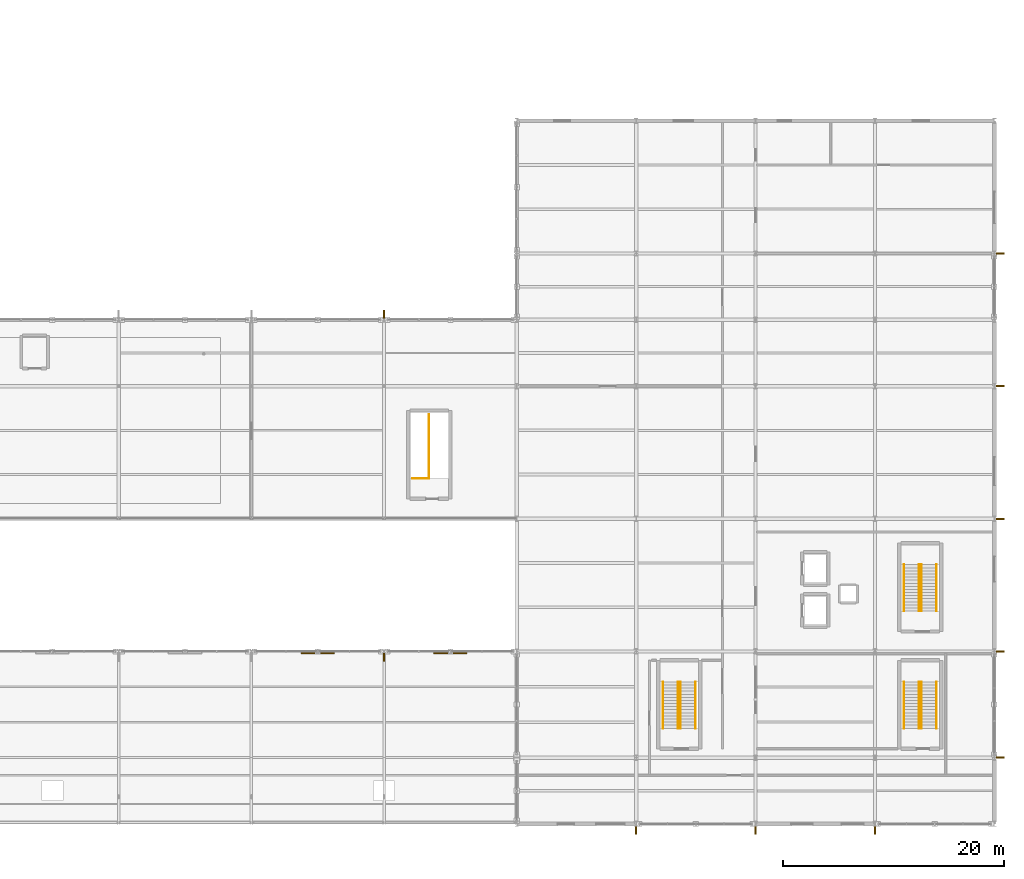
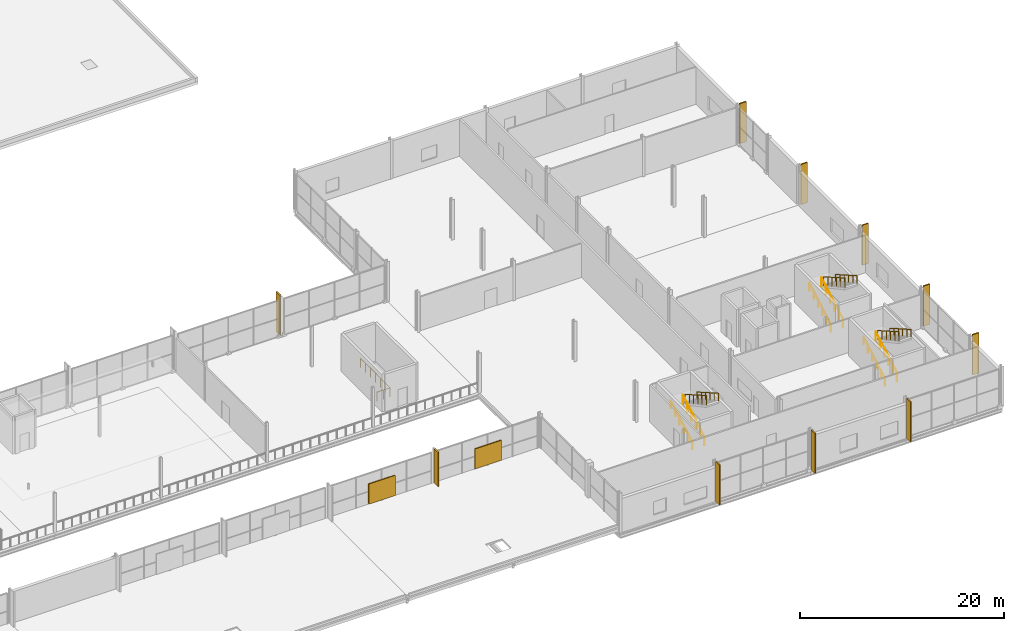
# One storey, part 158 of 159: 13 railings, 10 coverings, 2 shading devices.
"""IFC4 building model written with IfcOpenShell, lengths in metres."""

from ifc_helpers import new_model, si_unit, direction, frame, origin, origin_2d, place, context, subcontext, project, spatial, polyline, rectangle, circle, outline, extrude, material, layer, layer_set, type_object, element, save


model = new_model("IFC4")

# Units and contexts
model_context = context("Model", 3, precision=1e-05, world=origin(), true_north=direction((0.0, 1.0)))
body_context = subcontext(model_context, "Body", "Model", "MODEL_VIEW")
ifc_project = project(units=[si_unit("LENGTHUNIT", "METRE"), si_unit("AREAUNIT", "SQUARE_METRE"), si_unit("VOLUMEUNIT", "CUBIC_METRE"), si_unit("PLANEANGLEUNIT", "RADIAN"), si_unit("MASSUNIT", "GRAM", prefix="KILO")], contexts=[model_context])

# Site, building, storey
site_placement = place(None, origin())
site = spatial("IfcSite", under=ifc_project, at=site_placement, CompositionType="ELEMENT")
building_placement = place(site_placement, origin())
building = spatial("IfcBuilding", under=site, at=building_placement, Name="Merenkruunu Market Hall", CompositionType="ELEMENT")
storey_placement = place(building_placement, frame((0.0, 0.0, 5.39990234375)))
storey = spatial("IfcBuildingStorey", under=building, at=storey_placement, Name="L01", CompositionType="ELEMENT", Elevation=5.39990234375)

# Coverings
ifc_material_1 = material(Name="Precast concrete C40/50", Category="concrete")
ifc_layer_1 = layer(ifc_material_1, 0.139892578125)
ifc_layer_set_1 = layer_set([ifc_layer_1], Name="Precast concrete C40/50")
covering_type = type_object("IfcCoveringType", Name="Architectural Precast Sun Fin CLD02", PredefinedType="CLADDING", material=ifc_layer_set_1)
covering_1_placement = place(storey_placement, frame((0.0, 0.0, 0.68017578125)))
element("IfcCovering", 1, at=covering_1_placement, inside=storey, type_object=covering_type, Name="FIN-S-L01-065", PredefinedType="CLADDING", context=body_context, shape_type="SweptSolid", body=[
    extrude(outline(polyline([(136.72998046875, 14.72998046875), (136.8701171875, 14.72998046875), (136.8701171875, 15.451904296875), (136.72998046875, 15.451904296875), (136.72998046875, 14.72998046875)])), origin(), (0.0, 0.0, 1.0), 4.119873046875),
])
covering_2_placement = place(storey_placement, origin())
element("IfcCovering", 2, at=covering_2_placement, inside=storey, type_object=covering_type, Name="FIN-N-L01-067", PredefinedType="CLADDING", context=body_context, shape_type="SweptSolid", body=[
    extrude(outline(polyline([(136.72998046875, 45.718017578125), (136.8701171875, 45.718017578125), (136.8701171875, 46.43994140625), (136.72998046875, 46.43994140625), (136.72998046875, 45.718017578125)])), origin(), (0.0, 0.0, 1.0), 4.800048828125),
])
covering_3_placement = place(storey_placement, origin())
element("IfcCovering", 3, at=covering_3_placement, inside=storey, type_object=covering_type, Name="FIN-S-L01-069", PredefinedType="CLADDING", context=body_context, shape_type="SweptSolid", body=[
    extrude(outline(polyline([(159.530029296875, -0.93994140625), (159.669921875, -0.93994140625), (159.669921875, -0.218017578125), (159.530029296875, -0.218017578125), (159.530029296875, -0.93994140625)])), origin(), (0.0, 0.0, 1.0), 4.800048828125),
])
covering_4_placement = place(storey_placement, origin())
element("IfcCovering", 4, at=covering_4_placement, inside=storey, type_object=covering_type, Name="FIN-S-L01-074", PredefinedType="CLADDING", context=body_context, shape_type="SweptSolid", body=[
    extrude(outline(polyline([(170.330078125, -0.93994140625), (170.469970703125, -0.93994140625), (170.469970703125, -0.218017578125), (170.330078125, -0.218017578125), (170.330078125, -0.93994140625)])), origin(), (0.0, 0.0, 1.0), 4.800048828125),
])
covering_5_placement = place(storey_placement, origin())
element("IfcCovering", 5, at=covering_5_placement, inside=storey, type_object=covering_type, Name="FIN-S-L01-079", PredefinedType="CLADDING", context=body_context, shape_type="SweptSolid", body=[
    extrude(outline(polyline([(181.1298828125, -0.93994140625), (181.27001953125, -0.93994140625), (181.27001953125, -0.218017578125), (181.1298828125, -0.218017578125), (181.1298828125, -0.93994140625)])), origin(), (0.0, 0.0, 1.0), 4.800048828125),
])
covering_6_placement = place(storey_placement, origin())
element("IfcCovering", 6, at=covering_6_placement, inside=storey, type_object=covering_type, Name="FIN-E-L01-084", PredefinedType="CLADDING", context=body_context, shape_type="SweptSolid", body=[
    extrude(outline(polyline([(192.14794921875, 5.929931640625), (192.8701171875, 5.929931640625), (192.8701171875, 6.070068359375), (192.14794921875, 6.070068359375), (192.14794921875, 5.929931640625)])), origin(), (0.0, 0.0, 1.0), 4.800048828125),
])
covering_7_placement = place(storey_placement, origin())
element("IfcCovering", 7, at=covering_7_placement, inside=storey, type_object=covering_type, Name="FIN-E-L01-089", PredefinedType="CLADDING", context=body_context, shape_type="SweptSolid", body=[
    extrude(outline(polyline([(192.14794921875, 15.530029296875), (192.8701171875, 15.530029296875), (192.8701171875, 15.669921875), (192.14794921875, 15.669921875), (192.14794921875, 15.530029296875)])), origin(), (0.0, 0.0, 1.0), 4.800048828125),
])
covering_8_placement = place(storey_placement, origin())
element("IfcCovering", 8, at=covering_8_placement, inside=storey, type_object=covering_type, Name="FIN-E-L01-094", PredefinedType="CLADDING", context=body_context, shape_type="SweptSolid", body=[
    extrude(outline(polyline([(192.14794921875, 27.530029296875), (192.8701171875, 27.530029296875), (192.8701171875, 27.669921875), (192.14794921875, 27.669921875), (192.14794921875, 27.530029296875)])), origin(), (0.0, 0.0, 1.0), 4.800048828125),
])
covering_9_placement = place(storey_placement, origin())
element("IfcCovering", 9, at=covering_9_placement, inside=storey, type_object=covering_type, Name="FIN-E-L01-099", PredefinedType="CLADDING", context=body_context, shape_type="SweptSolid", body=[
    extrude(outline(polyline([(192.14794921875, 39.530029296875), (192.8701171875, 39.530029296875), (192.8701171875, 39.669921875), (192.14794921875, 39.669921875), (192.14794921875, 39.530029296875)])), origin(), (0.0, 0.0, 1.0), 4.800048828125),
])
covering_10_placement = place(storey_placement, origin())
element("IfcCovering", 10, at=covering_10_placement, inside=storey, type_object=covering_type, Name="FIN-E-L01-103", PredefinedType="CLADDING", context=body_context, shape_type="SweptSolid", body=[
    extrude(outline(polyline([(192.14794921875, 51.530029296875), (192.8701171875, 51.530029296875), (192.8701171875, 51.669921875), (192.14794921875, 51.669921875), (192.14794921875, 51.530029296875)])), origin(), (0.0, 0.0, 1.0), 4.800048828125),
])

# Railings
ifc_material_2 = material(Name="Brushed stainless steel", Category="steel")
railing_type_1 = type_object("IfcRailingType", Name="Gallery Balustrade Guard GR01", PredefinedType="BALUSTRADE", material=ifc_material_2)
railing_1_placement = place(storey_placement, frame((185.18994140625, 8.64990234375, 0.0)))
element("IfcRailing", 11, at=railing_1_placement, inside=storey, type_object=railing_type_1, Name="RAIL-L01-0041", PredefinedType="BALUSTRADE", context=body_context, shape_type="SweptSolid", body=[
    extrude(circle(Radius=0.02392578125, at=origin_2d()), frame((0.0, 0.0, 1.076171875), z_axis=(0.0, 0.868240036425, 0.496144373291), x_axis=(-1.0, 0.0, 0.0)), (0.0, 0.0, 1.0), 4.837646484375),
    extrude(circle(Radius=0.02099609375, at=origin_2d()), origin(), (0.0, 0.0, 1.0), 1.052001953125),
    extrude(circle(Radius=0.02099609375, at=origin_2d()), frame((0.0, 0.840087890625, 0.47998046875)), (0.0, 0.0, 1.0), 1.052001953125),
    extrude(circle(Radius=0.02099609375, at=origin_2d()), frame((0.0, 1.68017578125, 0.9599609375)), (0.0, 0.0, 1.0), 1.052001953125),
    extrude(circle(Radius=0.02099609375, at=origin_2d()), frame((0.0, 2.52001953125, 1.440185546875)), (0.0, 0.0, 1.0), 1.052001953125),
    extrude(circle(Radius=0.02099609375, at=origin_2d()), frame((0.0, 3.360107421875, 1.920166015625)), (0.0, 0.0, 1.0), 1.052001953125),
    extrude(circle(Radius=0.02099609375, at=origin_2d()), frame((0.0, 4.2001953125, 2.400146484375)), (0.0, 0.0, 1.0), 1.052001953125),
])
railing_2_placement = place(storey_placement, frame((185.409912109375, 12.85009765625, 2.400146484375)))
element("IfcRailing", 12, at=railing_2_placement, inside=storey, type_object=railing_type_1, Name="RAIL-L01-0042", PredefinedType="BALUSTRADE", context=body_context, shape_type="SweptSolid", body=[
    extrude(circle(Radius=0.02392578125, at=origin_2d()), frame((0.0, 0.0, 1.076171875), z_axis=(0.0, -0.868261776072, 0.496106327528), x_axis=(1.0, 0.0, 0.0)), (0.0, 0.0, 1.0), 4.83740234375),
    extrude(circle(Radius=0.02099609375, at=origin_2d()), origin(), (0.0, 0.0, 1.0), 1.052001953125),
    extrude(circle(Radius=0.02099609375, at=origin_2d()), frame((0.0, -0.840087890625, 0.47998046875)), (0.0, 0.0, 1.0), 1.052001953125),
    extrude(circle(Radius=0.02099609375, at=origin_2d()), frame((0.0, -1.68017578125, 0.9599609375)), (0.0, 0.0, 1.0), 1.052001953125),
    extrude(circle(Radius=0.02099609375, at=origin_2d()), frame((0.0, -2.52001953125, 1.43994140625)), (0.0, 0.0, 1.0), 1.052001953125),
    extrude(circle(Radius=0.02099609375, at=origin_2d()), frame((0.0, -3.360107421875, 1.919921875)), (0.0, 0.0, 1.0), 1.052001953125),
    extrude(circle(Radius=0.02099609375, at=origin_2d()), frame((0.0, -4.2001953125, 2.39990234375)), (0.0, 0.0, 1.0), 1.052001953125),
])
railing_3_placement = place(storey_placement, frame((185.18994140625, 19.25, 0.0)))
element("IfcRailing", 13, at=railing_3_placement, inside=storey, type_object=railing_type_1, Name="RAIL-L01-0058", PredefinedType="BALUSTRADE", context=body_context, shape_type="SweptSolid", body=[
    extrude(circle(Radius=0.02392578125, at=origin_2d()), frame((0.0, 0.0, 1.076171875), z_axis=(0.0, 0.868227612608, 0.496166114024), x_axis=(-1.0, 0.0, 0.0)), (0.0, 0.0, 1.0), 4.83740234375),
    extrude(circle(Radius=0.02099609375, at=origin_2d()), origin(), (0.0, 0.0, 1.0), 1.052001953125),
    extrude(circle(Radius=0.02099609375, at=origin_2d()), frame((0.0, 0.840087890625, 0.47998046875)), (0.0, 0.0, 1.0), 1.052001953125),
    extrude(circle(Radius=0.02099609375, at=origin_2d()), frame((0.0, 1.679931640625, 0.9599609375)), (0.0, 0.0, 1.0), 1.052001953125),
    extrude(circle(Radius=0.02099609375, at=origin_2d()), frame((0.0, 2.52001953125, 1.440185546875)), (0.0, 0.0, 1.0), 1.052001953125),
    extrude(circle(Radius=0.02099609375, at=origin_2d()), frame((0.0, 3.35986328125, 1.920166015625)), (0.0, 0.0, 1.0), 1.052001953125),
    extrude(circle(Radius=0.02099609375, at=origin_2d()), frame((0.0, 4.199951171875, 2.400146484375)), (0.0, 0.0, 1.0), 1.052001953125),
])
railing_4_placement = place(storey_placement, frame((185.409912109375, 23.449951171875, 2.400146484375)))
element("IfcRailing", 14, at=railing_4_placement, inside=storey, type_object=railing_type_1, Name="RAIL-L01-0059", PredefinedType="BALUSTRADE", context=body_context, shape_type="SweptSolid", body=[
    extrude(circle(Radius=0.02392578125, at=origin_2d()), frame((0.0, 0.0, 1.076171875), z_axis=(0.0, -0.868249353848, 0.496128067682), x_axis=(1.0, 0.0, 0.0)), (0.0, 0.0, 1.0), 4.837158203125),
    extrude(circle(Radius=0.02099609375, at=origin_2d()), origin(), (0.0, 0.0, 1.0), 1.052001953125),
    extrude(circle(Radius=0.02099609375, at=origin_2d()), frame((0.0, -0.840087890625, 0.47998046875)), (0.0, 0.0, 1.0), 1.052001953125),
    extrude(circle(Radius=0.02099609375, at=origin_2d()), frame((0.0, -1.679931640625, 0.9599609375)), (0.0, 0.0, 1.0), 1.052001953125),
    extrude(circle(Radius=0.02099609375, at=origin_2d()), frame((0.0, -2.52001953125, 1.43994140625)), (0.0, 0.0, 1.0), 1.052001953125),
    extrude(circle(Radius=0.02099609375, at=origin_2d()), frame((0.0, -3.35986328125, 1.919921875)), (0.0, 0.0, 1.0), 1.052001953125),
    extrude(circle(Radius=0.02099609375, at=origin_2d()), frame((0.0, -4.199951171875, 2.39990234375)), (0.0, 0.0, 1.0), 1.052001953125),
])
railing_5_placement = place(storey_placement, frame((139.360107421875, 31.239990234375, 0.0)))
element("IfcRailing", 15, at=railing_5_placement, inside=storey, type_object=railing_type_1, Name="RAIL-L01-0080", PredefinedType="BALUSTRADE", context=body_context, shape_type="SweptSolid", body=[
    extrude(circle(Radius=0.02392578125, at=origin_2d()), frame((0.0, 0.0, 1.076171875), z_axis=(1.0, 0.0, 0.0), x_axis=(0.0, 1.0, 0.0)), (0.0, 0.0, 1.0), 1.5),
    extrude(circle(Radius=0.02392578125, at=origin_2d()), frame((1.5, 0.0, 1.076171875), z_axis=(0.0, 1.0, 0.0), x_axis=(-1.0, 0.0, 0.0)), (0.0, 0.0, 1.0), 5.800048828125),
    extrude(circle(Radius=0.02099609375, at=origin_2d()), origin(), (0.0, 0.0, 1.0), 1.052001953125),
    extrude(circle(Radius=0.02099609375, at=origin_2d()), frame((0.75, 0.0, 0.0)), (0.0, 0.0, 1.0), 1.052001953125),
    extrude(circle(Radius=0.02099609375, at=origin_2d()), frame((1.5, 0.0, 0.0)), (0.0, 0.0, 1.0), 1.052001953125),
    extrude(circle(Radius=0.02099609375, at=origin_2d()), frame((1.5, 0.966796875, 0.0)), (0.0, 0.0, 1.0), 1.052001953125),
    extrude(circle(Radius=0.02099609375, at=origin_2d()), frame((1.5, 1.933349609375, 0.0)), (0.0, 0.0, 1.0), 1.052001953125),
    extrude(circle(Radius=0.02099609375, at=origin_2d()), frame((1.5, 2.89990234375, 0.0)), (0.0, 0.0, 1.0), 1.052001953125),
    extrude(circle(Radius=0.02099609375, at=origin_2d()), frame((1.5, 3.86669921875, 0.0)), (0.0, 0.0, 1.0), 1.052001953125),
    extrude(circle(Radius=0.02099609375, at=origin_2d()), frame((1.5, 4.83349609375, 0.0)), (0.0, 0.0, 1.0), 1.052001953125),
    extrude(circle(Radius=0.02099609375, at=origin_2d()), frame((1.5, 5.800048828125, 0.0)), (0.0, 0.0, 1.0), 1.052001953125),
])
railing_6_placement = place(storey_placement, frame((163.389892578125, 8.64990234375, 0.0)))
element("IfcRailing", 16, at=railing_6_placement, inside=storey, type_object=railing_type_1, Name="RAIL-L01-0085", PredefinedType="BALUSTRADE", context=body_context, shape_type="SweptSolid", body=[
    extrude(circle(Radius=0.02392578125, at=origin_2d()), frame((0.0, 0.0, 1.076171875), z_axis=(0.0, 0.868240036425, 0.496144373291), x_axis=(-1.0, 0.0, 0.0)), (0.0, 0.0, 1.0), 4.837646484375),
    extrude(circle(Radius=0.02099609375, at=origin_2d()), origin(), (0.0, 0.0, 1.0), 1.052001953125),
    extrude(circle(Radius=0.02099609375, at=origin_2d()), frame((0.0, 0.840087890625, 0.47998046875)), (0.0, 0.0, 1.0), 1.052001953125),
    extrude(circle(Radius=0.02099609375, at=origin_2d()), frame((0.0, 1.68017578125, 0.9599609375)), (0.0, 0.0, 1.0), 1.052001953125),
    extrude(circle(Radius=0.02099609375, at=origin_2d()), frame((0.0, 2.52001953125, 1.440185546875)), (0.0, 0.0, 1.0), 1.052001953125),
    extrude(circle(Radius=0.02099609375, at=origin_2d()), frame((0.0, 3.360107421875, 1.920166015625)), (0.0, 0.0, 1.0), 1.052001953125),
    extrude(circle(Radius=0.02099609375, at=origin_2d()), frame((0.0, 4.2001953125, 2.400146484375)), (0.0, 0.0, 1.0), 1.052001953125),
])
railing_7_placement = place(storey_placement, frame((163.610107421875, 12.85009765625, 2.400146484375)))
element("IfcRailing", 17, at=railing_7_placement, inside=storey, type_object=railing_type_1, Name="RAIL-L01-0086", PredefinedType="BALUSTRADE", context=body_context, shape_type="SweptSolid", body=[
    extrude(circle(Radius=0.02392578125, at=origin_2d()), frame((0.0, 0.0, 1.076171875), z_axis=(0.0, -0.868261776072, 0.496106327528), x_axis=(1.0, 0.0, 0.0)), (0.0, 0.0, 1.0), 4.83740234375),
    extrude(circle(Radius=0.02099609375, at=origin_2d()), origin(), (0.0, 0.0, 1.0), 1.052001953125),
    extrude(circle(Radius=0.02099609375, at=origin_2d()), frame((0.0, -0.840087890625, 0.47998046875)), (0.0, 0.0, 1.0), 1.052001953125),
    extrude(circle(Radius=0.02099609375, at=origin_2d()), frame((0.0, -1.68017578125, 0.9599609375)), (0.0, 0.0, 1.0), 1.052001953125),
    extrude(circle(Radius=0.02099609375, at=origin_2d()), frame((0.0, -2.52001953125, 1.43994140625)), (0.0, 0.0, 1.0), 1.052001953125),
    extrude(circle(Radius=0.02099609375, at=origin_2d()), frame((0.0, -3.360107421875, 1.919921875)), (0.0, 0.0, 1.0), 1.052001953125),
    extrude(circle(Radius=0.02099609375, at=origin_2d()), frame((0.0, -4.2001953125, 2.39990234375)), (0.0, 0.0, 1.0), 1.052001953125),
])

# Shading devices
ifc_layer_2 = layer(ifc_material_1, 0.1201171875)
ifc_layer_set_2 = layer_set([ifc_layer_2], Name="Precast concrete C40/50")
shading_device_type = type_object("IfcShadingDeviceType", Name="Perforated Precast Brise Soleil Screen BRS01", PredefinedType="USERDEFINED", material=ifc_layer_set_2)
for number, where, z_axis, x_axis, name in (
    (18, (130.800048828125, 15.4599609375, 0.800048828125), (0.0, 0.0, 1.0), (1.0, 0.0, 0.0), "SHD-BRS-04"),
    (19, (142.800048828125, 15.4599609375, 0.800048828125), (0.0, 0.0, 1.0), (1.0, 0.0, 0.0), "SHD-BRS-05"),
):
    element("IfcShadingDevice", number, at=place(storey_placement, frame(where, z_axis=z_axis, x_axis=x_axis)), inside=storey, type_object=shading_device_type, Name=name, ObjectType="BRISE_SOLEIL", PredefinedType="USERDEFINED", context=body_context, shape_type="SweptSolid", body=[
        extrude(rectangle(XDim=3.0, YDim=0.1201171875, at=origin_2d()), origin(), (0.0, 0.0, 1.0), 2.39990234375),
    ])

# Railings
railing_type_2 = type_object("IfcRailingType", Name="Stair Pitch Handrail HR01", PredefinedType="HANDRAIL", material=ifc_material_2)
railing_8_placement = place(storey_placement, frame((183.830078125, 8.64990234375, 0.0)))
element("IfcRailing", 20, at=railing_8_placement, inside=storey, type_object=railing_type_2, Name="RAIL-L01-0043", PredefinedType="HANDRAIL", context=body_context, shape_type="SweptSolid", body=[
    extrude(circle(Radius=0.02392578125, at=origin_2d()), frame((0.0, 0.0, 0.8759765625), z_axis=(0.0, 0.868240036425, 0.496144373291), x_axis=(-1.0, 0.0, 0.0)), (0.0, 0.0, 1.0), 4.837646484375),
    extrude(circle(Radius=0.02099609375, at=origin_2d()), origin(), (0.0, 0.0, 1.0), 0.851806640625),
    extrude(circle(Radius=0.02099609375, at=origin_2d()), frame((0.0, 0.840087890625, 0.47998046875)), (0.0, 0.0, 1.0), 0.851806640625),
    extrude(circle(Radius=0.02099609375, at=origin_2d()), frame((0.0, 1.68017578125, 0.9599609375)), (0.0, 0.0, 1.0), 0.851806640625),
    extrude(circle(Radius=0.02099609375, at=origin_2d()), frame((0.0, 2.52001953125, 1.440185546875)), (0.0, 0.0, 1.0), 0.851806640625),
    extrude(circle(Radius=0.02099609375, at=origin_2d()), frame((0.0, 3.360107421875, 1.920166015625)), (0.0, 0.0, 1.0), 0.851806640625),
    extrude(circle(Radius=0.02099609375, at=origin_2d()), frame((0.0, 4.2001953125, 2.400146484375)), (0.0, 0.0, 1.0), 0.851806640625),
])
railing_9_placement = place(storey_placement, frame((186.77001953125, 12.85009765625, 2.400146484375)))
element("IfcRailing", 21, at=railing_9_placement, inside=storey, type_object=railing_type_2, Name="RAIL-L01-0044", PredefinedType="HANDRAIL", context=body_context, shape_type="SweptSolid", body=[
    extrude(circle(Radius=0.02392578125, at=origin_2d()), frame((0.0, 0.0, 0.8759765625), z_axis=(0.0, -0.868261776072, 0.496106327528), x_axis=(1.0, 0.0, 0.0)), (0.0, 0.0, 1.0), 4.83740234375),
    extrude(circle(Radius=0.02099609375, at=origin_2d()), origin(), (0.0, 0.0, 1.0), 0.851806640625),
    extrude(circle(Radius=0.02099609375, at=origin_2d()), frame((0.0, -0.840087890625, 0.47998046875)), (0.0, 0.0, 1.0), 0.851806640625),
    extrude(circle(Radius=0.02099609375, at=origin_2d()), frame((0.0, -1.68017578125, 0.9599609375)), (0.0, 0.0, 1.0), 0.851806640625),
    extrude(circle(Radius=0.02099609375, at=origin_2d()), frame((0.0, -2.52001953125, 1.43994140625)), (0.0, 0.0, 1.0), 0.851806640625),
    extrude(circle(Radius=0.02099609375, at=origin_2d()), frame((0.0, -3.360107421875, 1.919921875)), (0.0, 0.0, 1.0), 0.851806640625),
    extrude(circle(Radius=0.02099609375, at=origin_2d()), frame((0.0, -4.2001953125, 2.39990234375)), (0.0, 0.0, 1.0), 0.851806640625),
])
railing_10_placement = place(storey_placement, frame((183.830078125, 19.25, 0.0)))
element("IfcRailing", 22, at=railing_10_placement, inside=storey, type_object=railing_type_2, Name="RAIL-L01-0060", PredefinedType="HANDRAIL", context=body_context, shape_type="SweptSolid", body=[
    extrude(circle(Radius=0.02392578125, at=origin_2d()), frame((0.0, 0.0, 0.8759765625), z_axis=(0.0, 0.868227612608, 0.496166114024), x_axis=(-1.0, 0.0, 0.0)), (0.0, 0.0, 1.0), 4.83740234375),
    extrude(circle(Radius=0.02099609375, at=origin_2d()), origin(), (0.0, 0.0, 1.0), 0.851806640625),
    extrude(circle(Radius=0.02099609375, at=origin_2d()), frame((0.0, 0.840087890625, 0.47998046875)), (0.0, 0.0, 1.0), 0.851806640625),
    extrude(circle(Radius=0.02099609375, at=origin_2d()), frame((0.0, 1.679931640625, 0.9599609375)), (0.0, 0.0, 1.0), 0.851806640625),
    extrude(circle(Radius=0.02099609375, at=origin_2d()), frame((0.0, 2.52001953125, 1.440185546875)), (0.0, 0.0, 1.0), 0.851806640625),
    extrude(circle(Radius=0.02099609375, at=origin_2d()), frame((0.0, 3.35986328125, 1.920166015625)), (0.0, 0.0, 1.0), 0.851806640625),
    extrude(circle(Radius=0.02099609375, at=origin_2d()), frame((0.0, 4.199951171875, 2.400146484375)), (0.0, 0.0, 1.0), 0.851806640625),
])
railing_11_placement = place(storey_placement, frame((186.77001953125, 23.449951171875, 2.400146484375)))
element("IfcRailing", 23, at=railing_11_placement, inside=storey, type_object=railing_type_2, Name="RAIL-L01-0061", PredefinedType="HANDRAIL", context=body_context, shape_type="SweptSolid", body=[
    extrude(circle(Radius=0.02392578125, at=origin_2d()), frame((0.0, 0.0, 0.8759765625), z_axis=(0.0, -0.868249353848, 0.496128067682), x_axis=(1.0, 0.0, 0.0)), (0.0, 0.0, 1.0), 4.837158203125),
    extrude(circle(Radius=0.02099609375, at=origin_2d()), origin(), (0.0, 0.0, 1.0), 0.851806640625),
    extrude(circle(Radius=0.02099609375, at=origin_2d()), frame((0.0, -0.840087890625, 0.47998046875)), (0.0, 0.0, 1.0), 0.851806640625),
    extrude(circle(Radius=0.02099609375, at=origin_2d()), frame((0.0, -1.679931640625, 0.9599609375)), (0.0, 0.0, 1.0), 0.851806640625),
    extrude(circle(Radius=0.02099609375, at=origin_2d()), frame((0.0, -2.52001953125, 1.43994140625)), (0.0, 0.0, 1.0), 0.851806640625),
    extrude(circle(Radius=0.02099609375, at=origin_2d()), frame((0.0, -3.35986328125, 1.919921875)), (0.0, 0.0, 1.0), 0.851806640625),
    extrude(circle(Radius=0.02099609375, at=origin_2d()), frame((0.0, -4.199951171875, 2.39990234375)), (0.0, 0.0, 1.0), 0.851806640625),
])
railing_12_placement = place(storey_placement, frame((162.030029296875, 8.64990234375, 0.0)))
element("IfcRailing", 24, at=railing_12_placement, inside=storey, type_object=railing_type_2, Name="RAIL-L01-0087", PredefinedType="HANDRAIL", context=body_context, shape_type="SweptSolid", body=[
    extrude(circle(Radius=0.02392578125, at=origin_2d()), frame((0.0, 0.0, 0.8759765625), z_axis=(0.0, 0.868240036425, 0.496144373291), x_axis=(-1.0, 0.0, 0.0)), (0.0, 0.0, 1.0), 4.837646484375),
    extrude(circle(Radius=0.02099609375, at=origin_2d()), origin(), (0.0, 0.0, 1.0), 0.851806640625),
    extrude(circle(Radius=0.02099609375, at=origin_2d()), frame((0.0, 0.840087890625, 0.47998046875)), (0.0, 0.0, 1.0), 0.851806640625),
    extrude(circle(Radius=0.02099609375, at=origin_2d()), frame((0.0, 1.68017578125, 0.9599609375)), (0.0, 0.0, 1.0), 0.851806640625),
    extrude(circle(Radius=0.02099609375, at=origin_2d()), frame((0.0, 2.52001953125, 1.440185546875)), (0.0, 0.0, 1.0), 0.851806640625),
    extrude(circle(Radius=0.02099609375, at=origin_2d()), frame((0.0, 3.360107421875, 1.920166015625)), (0.0, 0.0, 1.0), 0.851806640625),
    extrude(circle(Radius=0.02099609375, at=origin_2d()), frame((0.0, 4.2001953125, 2.400146484375)), (0.0, 0.0, 1.0), 0.851806640625),
])
railing_13_placement = place(storey_placement, frame((164.969970703125, 12.85009765625, 2.400146484375)))
element("IfcRailing", 25, at=railing_13_placement, inside=storey, type_object=railing_type_2, Name="RAIL-L01-0088", PredefinedType="HANDRAIL", context=body_context, shape_type="SweptSolid", body=[
    extrude(circle(Radius=0.02392578125, at=origin_2d()), frame((0.0, 0.0, 0.8759765625), z_axis=(0.0, -0.868261776072, 0.496106327528), x_axis=(1.0, 0.0, 0.0)), (0.0, 0.0, 1.0), 4.83740234375),
    extrude(circle(Radius=0.02099609375, at=origin_2d()), origin(), (0.0, 0.0, 1.0), 0.851806640625),
    extrude(circle(Radius=0.02099609375, at=origin_2d()), frame((0.0, -0.840087890625, 0.47998046875)), (0.0, 0.0, 1.0), 0.851806640625),
    extrude(circle(Radius=0.02099609375, at=origin_2d()), frame((0.0, -1.68017578125, 0.9599609375)), (0.0, 0.0, 1.0), 0.851806640625),
    extrude(circle(Radius=0.02099609375, at=origin_2d()), frame((0.0, -2.52001953125, 1.43994140625)), (0.0, 0.0, 1.0), 0.851806640625),
    extrude(circle(Radius=0.02099609375, at=origin_2d()), frame((0.0, -3.360107421875, 1.919921875)), (0.0, 0.0, 1.0), 0.851806640625),
    extrude(circle(Radius=0.02099609375, at=origin_2d()), frame((0.0, -4.2001953125, 2.39990234375)), (0.0, 0.0, 1.0), 0.851806640625),
])

save(model, "model.ifc")
